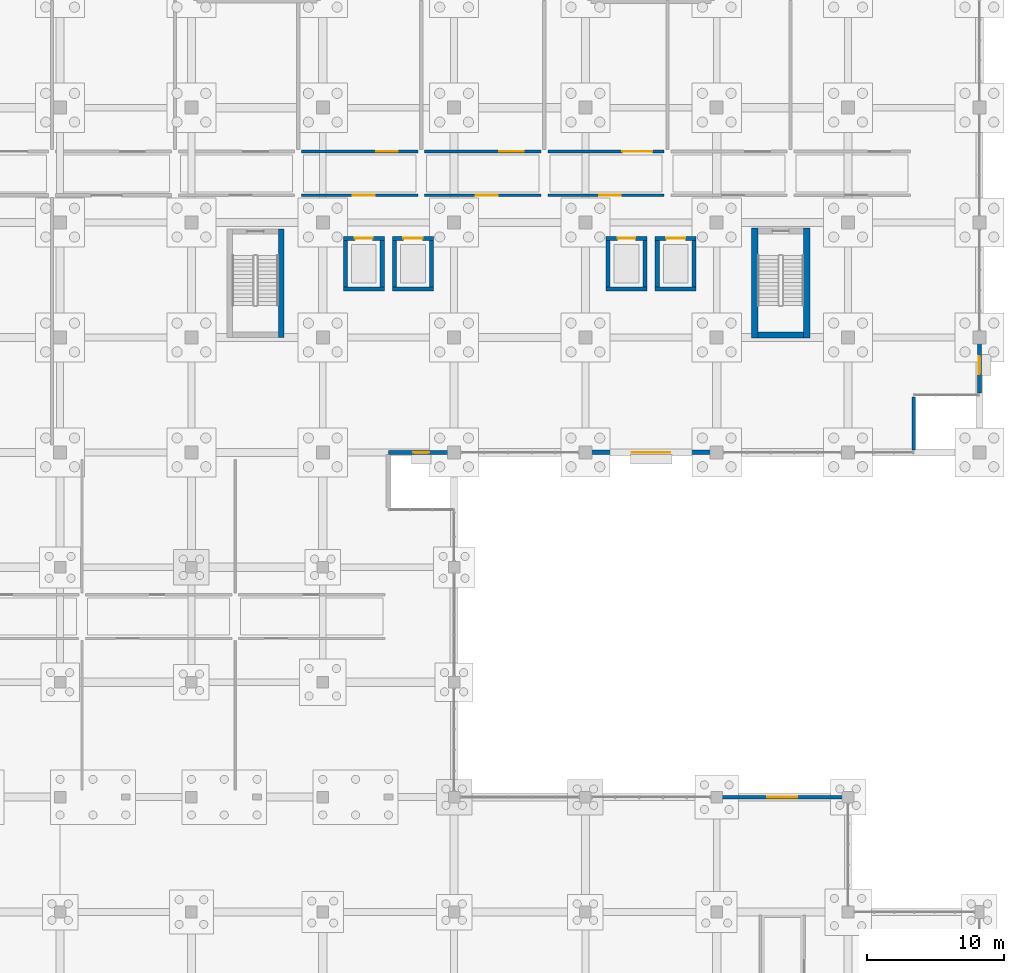
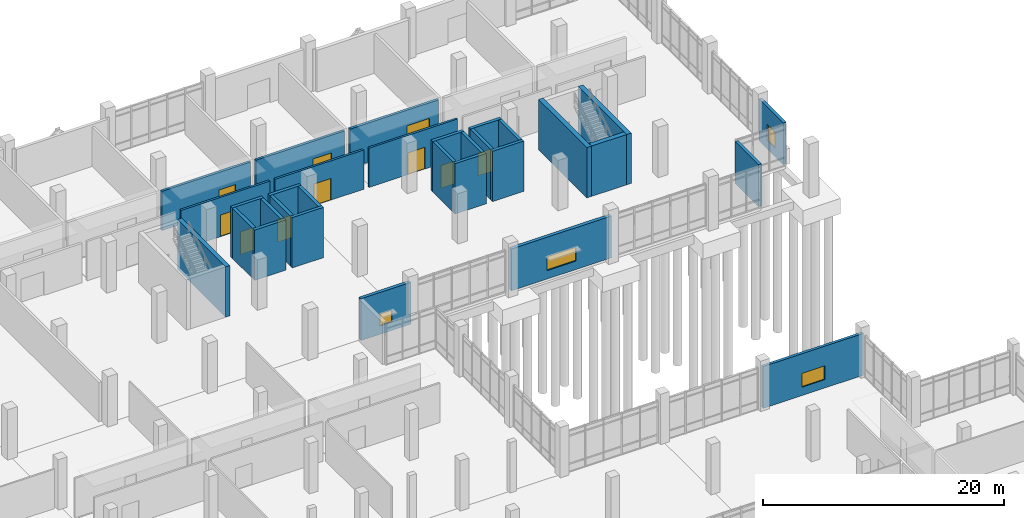
# One storey, part 116 of 136: 31 walls, 10 doors, 4 windows, 14 openings.
"""IFC4 building model written with IfcOpenShell, lengths in metres."""

from ifc_helpers import new_model, si_unit, direction, frame, frame_2d, origin, place, context, subcontext, project, spatial, rectangle, extrude, material, layer, layer_set, type_object, element, fill, save


model = new_model("IFC4")

# Units and contexts
model_context = context("Model", 3, precision=1e-05, world=origin(), true_north=direction((0.0, 1.0)))
body_context = subcontext(model_context, "Body", "Model", "MODEL_VIEW")
ifc_project = project(units=[si_unit("LENGTHUNIT", "METRE"), si_unit("AREAUNIT", "SQUARE_METRE"), si_unit("VOLUMEUNIT", "CUBIC_METRE"), si_unit("PLANEANGLEUNIT", "RADIAN"), si_unit("MASSUNIT", "GRAM", prefix="KILO")], contexts=[model_context])

# Site, building, storey
site_placement = place(None, origin())
site = spatial("IfcSite", under=ifc_project, at=site_placement, CompositionType="ELEMENT")
building_placement = place(site_placement, origin())
building = spatial("IfcBuilding", under=site, at=building_placement, Name="Oolite Switchyard Hospital", CompositionType="ELEMENT")
storey_placement = place(building_placement, origin())
storey = spatial("IfcBuildingStorey", under=building, at=storey_placement, Name="L00", CompositionType="ELEMENT", Elevation=0.0)

# Wall, opening, window
ifc_material_1 = material(Name="Precast oolitic limestone architectural concrete C40/50", Category="masonry")
ifc_layer_1 = layer(ifc_material_1, 0.260009765625)
ifc_layer_set_1 = layer_set([ifc_layer_1], Name="WAL-EXT-260")
wall_type_1 = type_object("IfcWallType", Name="WAL-EXT-260", PredefinedType="SOLIDWALL", material=ifc_layer_set_1)
wall_1_placement = place(storey_placement, frame((192.0, 75.60009765625, 0.0), z_axis=(0.0, 0.0, 1.0), x_axis=(1.0, 0.0, 0.0)))
wall_1 = element("IfcWall", 1, at=wall_1_placement, inside=storey, type_object=wall_type_1, Name="L00 Exterior Spandrel Wall 21", PredefinedType="SOLIDWALL", context=body_context, shape_type="SweptSolid", body=[
    extrude(rectangle(XDim=9.60009765625, YDim=0.260009765625, at=frame_2d((4.800048828125, 0.0))), origin(), (0.0, 0.0, 1.0), 4.239990234375),
])
opening_1_placement = place(wall_1_placement, frame((3.699951171875, 0.0, 0.85009765625)))
opening_1 = element("IfcOpeningElement", 2, at=opening_1_placement, cuts=wall_1, Name="Opening WN-0006", PredefinedType="OPENING", context=body_context, shape_type="SweptSolid", body=[
    extrude(rectangle(XDim=2.199951171875, YDim=1.39990234375, at=frame_2d((1.10009765625, 0.699951171875))), frame((0.0, 0.14013671875, 0.0), z_axis=(0.0, -1.0, 0.0), x_axis=(1.0, 0.0, 0.0)), (0.0, 0.0, 1.0), 0.280029296875),
])
ifc_material_2 = material(Name="Thermally broken aluminum frame with laminated impact glazing", Category="aluminium")
window_type_1 = type_object("IfcWindowType", Name="WIN-IMP-220X140", PartitioningType="SINGLE_PANEL", PredefinedType="WINDOW", material=ifc_material_2)
window_1_placement = place(opening_1_placement, origin())
window_1 = element("IfcWindow", 3, at=window_1_placement, inside=storey, type_object=window_type_1, Name="L00 Hurricane Impact Window WN-0006", OverallHeight=1.39990234375, OverallWidth=2.199951171875, PartitioningType="SINGLE_PANEL", PredefinedType="WINDOW", context=body_context, shape_type="SweptSolid", body=[
    extrude(rectangle(XDim=2.199951171875, YDim=1.39990234375, at=frame_2d((1.10009765625, 0.699951171875))), frame((0.0, 0.030029296875, 0.0), z_axis=(0.0, -1.0, 0.0), x_axis=(1.0, 0.0, 0.0)), (0.0, 0.0, 1.0), 0.06005859375),
])
fill(opening_1, window_1)

# Wall
ifc_layer_2 = layer(ifc_material_1, 0.280029296875)
ifc_layer_set_2 = layer_set([ifc_layer_2], Name="WAL-EXT-280")
wall_type_2 = type_object("IfcWallType", Name="WAL-EXT-280", PredefinedType="SOLIDWALL", material=ifc_layer_set_2)
wall_2_placement = place(storey_placement, frame((206.39990234375, 104.840087890625, 0.0), z_axis=(0.0, 0.0, 1.0), x_axis=(0.0, -1.0, 0.0)))
element("IfcWall", 4, at=wall_2_placement, inside=storey, type_object=wall_type_2, Name="L00 Exterior Spandrel Wall 64", PredefinedType="SOLIDWALL", context=body_context, shape_type="SweptSolid", body=[
    extrude(rectangle(XDim=3.880126953125, YDim=0.280029296875, at=frame_2d((1.93994140625, 0.0))), origin(), (0.0, 0.0, 1.0), 4.239990234375),
])

# Wall, opening, window
wall_3_placement = place(storey_placement, frame((211.199951171875, 109.199951171875, 0.0), z_axis=(0.0, 0.0, 1.0), x_axis=(0.0, -1.0, 0.0)))
wall_3 = element("IfcWall", 5, at=wall_3_placement, inside=storey, type_object=wall_type_2, Name="L00 Exterior Spandrel Wall 71", PredefinedType="SOLIDWALL", context=body_context, shape_type="SweptSolid", body=[
    extrude(rectangle(XDim=4.0400390625, YDim=0.280029296875, at=frame_2d((2.02001953125, 0.0))), origin(), (0.0, 0.0, 1.0), 4.239990234375),
])
opening_2_placement = place(wall_3_placement, frame((1.3701171875, 0.0, 0.85009765625)))
opening_2 = element("IfcOpeningElement", 6, at=opening_2_placement, cuts=wall_3, Name="Opening WN-0021", PredefinedType="OPENING", context=body_context, shape_type="SweptSolid", body=[
    extrude(rectangle(XDim=1.300048828125, YDim=1.60009765625, at=frame_2d((0.64990234375, 0.800048828125))), frame((0.0, 0.14990234375, 0.0), z_axis=(0.0, -1.0, 0.0), x_axis=(1.0, 0.0, 0.0)), (0.0, 0.0, 1.0), 0.300048828125),
])
window_type_2 = type_object("IfcWindowType", Name="WIN-IMP-130X160", PartitioningType="SINGLE_PANEL", PredefinedType="WINDOW", material=ifc_material_2)
window_2_placement = place(opening_2_placement, origin())
window_2 = element("IfcWindow", 7, at=window_2_placement, inside=storey, type_object=window_type_2, Name="L00 Hurricane Impact Window WN-0021", OverallHeight=1.60009765625, OverallWidth=1.300048828125, PartitioningType="SINGLE_PANEL", PredefinedType="WINDOW", context=body_context, shape_type="SweptSolid", body=[
    extrude(rectangle(XDim=1.300048828125, YDim=1.60009765625, at=frame_2d((0.64990234375, 0.800048828125))), frame((0.0, 0.030029296875, 0.0), z_axis=(0.0, -1.0, 0.0), x_axis=(1.0, 0.0, 0.0)), (0.0, 0.0, 1.0), 0.06005859375),
])
fill(opening_2, window_2)

ifc_layer_3 = layer(ifc_material_1, 0.300048828125)
ifc_layer_set_3 = layer_set([ifc_layer_3], Name="WAL-EXT-300")
wall_type_3 = type_object("IfcWallType", Name="WAL-EXT-300", PredefinedType="SOLIDWALL", material=ifc_layer_set_3)
wall_4_placement = place(storey_placement, frame((172.800048828125, 100.800048828125, 0.0), z_axis=(0.0, 0.0, 1.0), x_axis=(-1.0, 0.0, 0.0)))
wall_4 = element("IfcWall", 8, at=wall_4_placement, inside=storey, type_object=wall_type_3, Name="L00 Exterior Spandrel Wall 23", PredefinedType="SOLIDWALL", context=body_context, shape_type="SweptSolid", body=[
    extrude(rectangle(XDim=4.800048828125, YDim=0.300048828125, at=frame_2d((2.39990234375, 0.0))), origin(), (0.0, 0.0, 1.0), 4.239990234375),
])
opening_3_placement = place(wall_4_placement, frame((1.824951171875, 0.0, 0.85009765625)))
opening_3 = element("IfcOpeningElement", 9, at=opening_3_placement, cuts=wall_4, Name="Opening WN-0008", PredefinedType="OPENING", context=body_context, shape_type="SweptSolid", body=[
    extrude(rectangle(XDim=1.14990234375, YDim=1.199951171875, at=frame_2d((0.574951171875, 0.60009765625))), frame((0.0, 0.16015625, 0.0), z_axis=(0.0, -1.0, 0.0), x_axis=(1.0, 0.0, 0.0)), (0.0, 0.0, 1.0), 0.320068359375),
])
window_type_3 = type_object("IfcWindowType", Name="WIN-IMP-115X120", PartitioningType="SINGLE_PANEL", PredefinedType="WINDOW", material=ifc_material_2)
window_3_placement = place(opening_3_placement, origin())
window_3 = element("IfcWindow", 10, at=window_3_placement, inside=storey, type_object=window_type_3, Name="L00 Hurricane Impact Window WN-0008", OverallHeight=1.199951171875, OverallWidth=1.14990234375, PartitioningType="SINGLE_PANEL", PredefinedType="WINDOW", context=body_context, shape_type="SweptSolid", body=[
    extrude(rectangle(XDim=1.14990234375, YDim=1.199951171875, at=frame_2d((0.574951171875, 0.60009765625))), frame((0.0, 0.030029296875, 0.0), z_axis=(0.0, -1.0, 0.0), x_axis=(1.0, 0.0, 0.0)), (0.0, 0.0, 1.0), 0.06005859375),
])
fill(opening_3, window_3)

ifc_layer_4 = layer(ifc_material_1, 0.320068359375)
ifc_layer_set_4 = layer_set([ifc_layer_4], Name="WAL-EXT-320")
wall_type_4 = type_object("IfcWallType", Name="WAL-EXT-320", PredefinedType="SOLIDWALL", material=ifc_layer_set_4)
wall_5_placement = place(storey_placement, frame((192.0, 100.800048828125, 0.0), z_axis=(0.0, 0.0, 1.0), x_axis=(-1.0, 0.0, 0.0)))
wall_5 = element("IfcWall", 11, at=wall_5_placement, inside=storey, type_object=wall_type_4, Name="L00 Exterior Spandrel Wall 24", PredefinedType="SOLIDWALL", context=body_context, shape_type="SweptSolid", body=[
    extrude(rectangle(XDim=9.60009765625, YDim=0.320068359375, at=frame_2d((4.800048828125, 0.0))), origin(), (0.0, 0.0, 1.0), 4.239990234375),
])
opening_4_placement = place(wall_5_placement, frame((3.39990234375, 0.0, 0.85009765625)))
opening_4 = element("IfcOpeningElement", 12, at=opening_4_placement, cuts=wall_5, Name="Opening WN-0009", PredefinedType="OPENING", context=body_context, shape_type="SweptSolid", body=[
    extrude(rectangle(XDim=2.800048828125, YDim=1.39990234375, at=frame_2d((1.39990234375, 0.699951171875))), frame((0.0, 0.169921875, 0.0), z_axis=(0.0, -1.0, 0.0), x_axis=(1.0, 0.0, 0.0)), (0.0, 0.0, 1.0), 0.340087890625),
])
window_type_4 = type_object("IfcWindowType", Name="WIN-IMP-280X140", PartitioningType="SINGLE_PANEL", PredefinedType="WINDOW", material=ifc_material_2)
window_4_placement = place(opening_4_placement, origin())
window_4 = element("IfcWindow", 13, at=window_4_placement, inside=storey, type_object=window_type_4, Name="L00 Hurricane Impact Window WN-0009", OverallHeight=1.39990234375, OverallWidth=2.800048828125, PartitioningType="SINGLE_PANEL", PredefinedType="WINDOW", context=body_context, shape_type="SweptSolid", body=[
    extrude(rectangle(XDim=2.800048828125, YDim=1.39990234375, at=frame_2d((1.39990234375, 0.699951171875))), frame((0.0, 0.030029296875, 0.0), z_axis=(0.0, -1.0, 0.0), x_axis=(1.0, 0.0, 0.0)), (0.0, 0.0, 1.0), 0.06005859375),
])
fill(opening_4, window_4)

# Wall, opening, door
ifc_material_3 = material(Name="Precast concrete C40/50", Category="concrete")
ifc_layer_5 = layer(ifc_material_3, 0.239990234375)
ifc_layer_set_5 = layer_set([ifc_layer_5], Name="WAL-PLANT-240")
wall_type_5 = type_object("IfcWallType", Name="WAL-PLANT-240", PredefinedType="PARTITIONING", material=ifc_layer_set_5)
wall_6_placement = place(storey_placement, frame((161.64990234375, 122.800048828125, 0.0), z_axis=(0.0, 0.0, 1.0), x_axis=(1.0, 0.0, 0.0)))
wall_6 = element("IfcWall", 14, at=wall_6_placement, inside=storey, type_object=wall_type_5, Name="L00 Interior Partition 148", PredefinedType="PARTITIONING", context=body_context, shape_type="SweptSolid", body=[
    extrude(rectangle(XDim=8.5, YDim=0.239990234375, at=frame_2d((4.25, 0.0))), origin(), (0.0, 0.0, 1.0), 3.97998046875),
])
opening_5_placement = place(wall_6_placement, frame((5.449951171875, 0.0, 0.0)))
opening_5 = element("IfcOpeningElement", 15, at=opening_5_placement, cuts=wall_6, Name="Opening D-0091", PredefinedType="OPENING", context=body_context, shape_type="SweptSolid", body=[
    extrude(rectangle(XDim=1.60009765625, YDim=2.199951171875, at=frame_2d((0.800048828125, 1.10009765625))), frame((0.0, 0.1298828125, 0.0), z_axis=(0.0, -1.0, 0.0), x_axis=(1.0, 0.0, 0.0)), (0.0, 0.0, 1.0), 0.260009765625),
])
ifc_material_4 = material(Name="Hollow metal fire-rated steel door assembly", Category="steel")
door_type_1 = type_object("IfcDoorType", Name="DR-DBL-160X220", OperationType="NOTDEFINED", PredefinedType="DOOR", material=ifc_material_4)
door_1_placement = place(opening_5_placement, origin())
door_1 = element("IfcDoor", 16, at=door_1_placement, inside=storey, type_object=door_type_1, Name="L00 Interior Door D-0091", OperationType="DOUBLE_DOOR_SINGLE_SWING", OverallHeight=2.199951171875, OverallWidth=1.60009765625, PredefinedType="DOOR", context=body_context, shape_type="SweptSolid", body=[
    extrude(rectangle(XDim=1.60009765625, YDim=2.199951171875, at=frame_2d((0.800048828125, 1.10009765625))), frame((0.0, 0.02490234375, 0.0), z_axis=(0.0, -1.0, 0.0), x_axis=(1.0, 0.0, 0.0)), (0.0, 0.0, 1.0), 0.050048828125),
])
fill(opening_5, door_1)

wall_7_placement = place(storey_placement, frame((170.64990234375, 122.800048828125, 0.0), z_axis=(0.0, 0.0, 1.0), x_axis=(1.0, 0.0, 0.0)))
wall_7 = element("IfcWall", 17, at=wall_7_placement, inside=storey, type_object=wall_type_5, Name="L00 Interior Partition 151", PredefinedType="PARTITIONING", context=body_context, shape_type="SweptSolid", body=[
    extrude(rectangle(XDim=8.5, YDim=0.239990234375, at=frame_2d((4.25, 0.0))), origin(), (0.0, 0.0, 1.0), 3.97998046875),
])
opening_6_placement = place(wall_7_placement, frame((5.449951171875, 0.0, 0.0)))
opening_6 = element("IfcOpeningElement", 18, at=opening_6_placement, cuts=wall_7, Name="Opening D-0093", PredefinedType="OPENING", context=body_context, shape_type="SweptSolid", body=[
    extrude(rectangle(XDim=1.800048828125, YDim=2.199951171875, at=frame_2d((0.89990234375, 1.10009765625))), frame((0.0, 0.1298828125, 0.0), z_axis=(0.0, -1.0, 0.0), x_axis=(1.0, 0.0, 0.0)), (0.0, 0.0, 1.0), 0.260009765625),
])
door_type_2 = type_object("IfcDoorType", Name="DR-DBL-180X220", OperationType="NOTDEFINED", PredefinedType="DOOR", material=ifc_material_4)
door_2_placement = place(opening_6_placement, origin())
door_2 = element("IfcDoor", 19, at=door_2_placement, inside=storey, type_object=door_type_2, Name="L00 Interior Door D-0093", OperationType="DOUBLE_DOOR_SINGLE_SWING", OverallHeight=2.199951171875, OverallWidth=1.800048828125, PredefinedType="DOOR", context=body_context, shape_type="SweptSolid", body=[
    extrude(rectangle(XDim=1.800048828125, YDim=2.199951171875, at=frame_2d((0.89990234375, 1.10009765625))), frame((0.0, 0.02490234375, 0.0), z_axis=(0.0, -1.0, 0.0), x_axis=(1.0, 0.0, 0.0)), (0.0, 0.0, 1.0), 0.050048828125),
])
fill(opening_6, door_2)

wall_8_placement = place(storey_placement, frame((179.64990234375, 122.800048828125, 0.0), z_axis=(0.0, 0.0, 1.0), x_axis=(1.0, 0.0, 0.0)))
wall_8 = element("IfcWall", 20, at=wall_8_placement, inside=storey, type_object=wall_type_5, Name="L00 Interior Partition 154", PredefinedType="PARTITIONING", context=body_context, shape_type="SweptSolid", body=[
    extrude(rectangle(XDim=8.5, YDim=0.239990234375, at=frame_2d((4.25, 0.0))), origin(), (0.0, 0.0, 1.0), 3.97998046875),
])
opening_7_placement = place(wall_8_placement, frame((5.449951171875, 0.0, 0.0)))
opening_7 = element("IfcOpeningElement", 21, at=opening_7_placement, cuts=wall_8, Name="Opening D-0095", PredefinedType="OPENING", context=body_context, shape_type="SweptSolid", body=[
    extrude(rectangle(XDim=2.199951171875, YDim=2.39990234375, at=frame_2d((1.10009765625, 1.199951171875))), frame((0.0, 0.1298828125, 0.0), z_axis=(0.0, -1.0, 0.0), x_axis=(1.0, 0.0, 0.0)), (0.0, 0.0, 1.0), 0.260009765625),
])
door_type_3 = type_object("IfcDoorType", Name="DR-PLNT-220X240", OperationType="NOTDEFINED", PredefinedType="DOOR", material=ifc_material_4)
door_3_placement = place(opening_7_placement, origin())
door_3 = element("IfcDoor", 22, at=door_3_placement, inside=storey, type_object=door_type_3, Name="L00 Interior Door D-0095", OperationType="DOUBLE_DOOR_SINGLE_SWING", OverallHeight=2.39990234375, OverallWidth=2.199951171875, PredefinedType="DOOR", context=body_context, shape_type="SweptSolid", body=[
    extrude(rectangle(XDim=2.199951171875, YDim=2.39990234375, at=frame_2d((1.10009765625, 1.199951171875))), frame((0.0, 0.02490234375, 0.0), z_axis=(0.0, -1.0, 0.0), x_axis=(1.0, 0.0, 0.0)), (0.0, 0.0, 1.0), 0.050048828125),
])
fill(opening_7, door_3)

# Walls
ifc_material_5 = material(Name="Concrete C50/60", Category="concrete")
ifc_layer_6 = layer(ifc_material_5, 0.300048828125)
ifc_layer_set_6 = layer_set([ifc_layer_6], Name="WAL-SHR-300")
wall_type_6 = type_object("IfcWallType", Name="WAL-SHR-300", PredefinedType="SHEAR", material=ifc_layer_set_6)
wall_9_placement = place(storey_placement, frame((164.699951171875, 112.75, 0.0), z_axis=(0.0, 0.0, 1.0), x_axis=(1.0, 0.0, 0.0)))
element("IfcWall", 23, at=wall_9_placement, inside=storey, type_object=wall_type_6, Name="L00 Lift Shaft Shear Wall EL-01", PredefinedType="SHEAR", context=body_context, shape_type="SweptSolid", body=[
    extrude(rectangle(XDim=3.0, YDim=0.300048828125, at=frame_2d((1.5, 0.0))), origin(), (0.0, 0.0, 1.0), 5.10009765625),
])
wall_10_placement = place(storey_placement, frame((167.550048828125, 112.89990234375, 0.0), z_axis=(0.0, 0.0, 1.0), x_axis=(0.0, 1.0, 0.0)))
element("IfcWall", 24, at=wall_10_placement, inside=storey, type_object=wall_type_6, Name="L00 Lift Shaft Shear Wall EL-01", PredefinedType="SHEAR", context=body_context, shape_type="SweptSolid", body=[
    extrude(rectangle(XDim=3.400146484375, YDim=0.300048828125, at=frame_2d((1.7001953125, 0.0))), origin(), (0.0, 0.0, 1.0), 5.10009765625),
])

# Wall, opening, door
wall_11_placement = place(storey_placement, frame((167.699951171875, 116.449951171875, 0.0), z_axis=(0.0, 0.0, 1.0), x_axis=(-1.0, 0.0, 0.0)))
wall_11 = element("IfcWall", 25, at=wall_11_placement, inside=storey, type_object=wall_type_6, Name="L00 Lift Shaft Shear Wall EL-01", PredefinedType="SHEAR", context=body_context, shape_type="SweptSolid", body=[
    extrude(rectangle(XDim=3.0, YDim=0.300048828125, at=frame_2d((1.5, 0.0))), origin(), (0.0, 0.0, 1.0), 5.10009765625),
])
opening_8_placement = place(wall_11_placement, frame((0.85009765625, 0.0, 0.0)))
opening_8 = element("IfcOpeningElement", 26, at=opening_8_placement, cuts=wall_11, Name="Opening LD-001", PredefinedType="OPENING", context=body_context, shape_type="SweptSolid", body=[
    extrude(rectangle(XDim=1.300048828125, YDim=2.300048828125, at=frame_2d((0.64990234375, 1.14990234375))), frame((0.0, 0.16015625, 0.0), z_axis=(0.0, -1.0, 0.0), x_axis=(1.0, 0.0, 0.0)), (0.0, 0.0, 1.0), 0.320068359375),
])
ifc_material_6 = material(Name="Brushed stainless steel fire-rated sliding landing door", Category="steel")
door_type_4 = type_object("IfcDoorType", Name="DR-LD-130X230", OperationType="NOTDEFINED", PredefinedType="DOOR", material=ifc_material_6)
door_4_placement = place(opening_8_placement, origin())
door_4 = element("IfcDoor", 27, at=door_4_placement, inside=storey, type_object=door_type_4, Name="L00 EL-01 Lift Landing Door LD-001", OperationType="SLIDING_TO_LEFT", OverallHeight=2.300048828125, OverallWidth=1.300048828125, PredefinedType="DOOR", context=body_context, shape_type="SweptSolid", body=[
    extrude(rectangle(XDim=1.300048828125, YDim=2.300048828125, at=frame_2d((0.64990234375, 1.14990234375))), frame((0.0, 0.02490234375, 0.0), z_axis=(0.0, -1.0, 0.0), x_axis=(1.0, 0.0, 0.0)), (0.0, 0.0, 1.0), 0.050048828125),
])
fill(opening_8, door_4)

# Walls
wall_12_placement = place(storey_placement, frame((164.85009765625, 116.300048828125, 0.0), z_axis=(0.0, 0.0, 1.0), x_axis=(0.0, -1.0, 0.0)))
element("IfcWall", 28, at=wall_12_placement, inside=storey, type_object=wall_type_6, Name="L00 Lift Shaft Shear Wall EL-01", PredefinedType="SHEAR", context=body_context, shape_type="SweptSolid", body=[
    extrude(rectangle(XDim=3.400146484375, YDim=0.300048828125, at=frame_2d((1.7001953125, 0.0))), origin(), (0.0, 0.0, 1.0), 5.10009765625),
])
wall_13_placement = place(storey_placement, frame((168.300048828125, 112.75, 0.0), z_axis=(0.0, 0.0, 1.0), x_axis=(1.0, 0.0, 0.0)))
element("IfcWall", 29, at=wall_13_placement, inside=storey, type_object=wall_type_6, Name="L00 Lift Shaft Shear Wall EL-02", PredefinedType="SHEAR", context=body_context, shape_type="SweptSolid", body=[
    extrude(rectangle(XDim=3.0, YDim=0.300048828125, at=frame_2d((1.5, 0.0))), origin(), (0.0, 0.0, 1.0), 5.10009765625),
])
wall_14_placement = place(storey_placement, frame((171.14990234375, 112.89990234375, 0.0), z_axis=(0.0, 0.0, 1.0), x_axis=(0.0, 1.0, 0.0)))
element("IfcWall", 30, at=wall_14_placement, inside=storey, type_object=wall_type_6, Name="L00 Lift Shaft Shear Wall EL-02", PredefinedType="SHEAR", context=body_context, shape_type="SweptSolid", body=[
    extrude(rectangle(XDim=3.400146484375, YDim=0.300048828125, at=frame_2d((1.7001953125, 0.0))), origin(), (0.0, 0.0, 1.0), 5.10009765625),
])

# Wall, opening, door
wall_15_placement = place(storey_placement, frame((171.300048828125, 116.449951171875, 0.0), z_axis=(0.0, 0.0, 1.0), x_axis=(-1.0, 0.0, 0.0)))
wall_15 = element("IfcWall", 31, at=wall_15_placement, inside=storey, type_object=wall_type_6, Name="L00 Lift Shaft Shear Wall EL-02", PredefinedType="SHEAR", context=body_context, shape_type="SweptSolid", body=[
    extrude(rectangle(XDim=3.0, YDim=0.300048828125, at=frame_2d((1.5, 0.0))), origin(), (0.0, 0.0, 1.0), 5.10009765625),
])
opening_9_placement = place(wall_15_placement, frame((0.800048828125, 0.0, 0.0)))
opening_9 = element("IfcOpeningElement", 32, at=opening_9_placement, cuts=wall_15, Name="Opening LD-010", PredefinedType="OPENING", context=body_context, shape_type="SweptSolid", body=[
    extrude(rectangle(XDim=1.39990234375, YDim=2.300048828125, at=frame_2d((0.699951171875, 1.14990234375))), frame((0.0, 0.16015625, 0.0), z_axis=(0.0, -1.0, 0.0), x_axis=(1.0, 0.0, 0.0)), (0.0, 0.0, 1.0), 0.320068359375),
])
door_type_5 = type_object("IfcDoorType", Name="DR-LD-140X230", OperationType="NOTDEFINED", PredefinedType="DOOR", material=ifc_material_6)
door_5_placement = place(opening_9_placement, origin())
door_5 = element("IfcDoor", 33, at=door_5_placement, inside=storey, type_object=door_type_5, Name="L00 EL-02 Lift Landing Door LD-010", OperationType="SLIDING_TO_RIGHT", OverallHeight=2.300048828125, OverallWidth=1.39990234375, PredefinedType="DOOR", context=body_context, shape_type="SweptSolid", body=[
    extrude(rectangle(XDim=1.39990234375, YDim=2.300048828125, at=frame_2d((0.699951171875, 1.14990234375))), frame((0.0, 0.02490234375, 0.0), z_axis=(0.0, -1.0, 0.0), x_axis=(1.0, 0.0, 0.0)), (0.0, 0.0, 1.0), 0.050048828125),
])
fill(opening_9, door_5)

# Walls
wall_16_placement = place(storey_placement, frame((168.449951171875, 116.300048828125, 0.0), z_axis=(0.0, 0.0, 1.0), x_axis=(0.0, -1.0, 0.0)))
element("IfcWall", 34, at=wall_16_placement, inside=storey, type_object=wall_type_6, Name="L00 Lift Shaft Shear Wall EL-02", PredefinedType="SHEAR", context=body_context, shape_type="SweptSolid", body=[
    extrude(rectangle(XDim=3.400146484375, YDim=0.300048828125, at=frame_2d((1.7001953125, 0.0))), origin(), (0.0, 0.0, 1.0), 5.10009765625),
])
wall_17_placement = place(storey_placement, frame((183.89990234375, 112.75, 0.0), z_axis=(0.0, 0.0, 1.0), x_axis=(1.0, 0.0, 0.0)))
element("IfcWall", 35, at=wall_17_placement, inside=storey, type_object=wall_type_6, Name="L00 Lift Shaft Shear Wall EL-03", PredefinedType="SHEAR", context=body_context, shape_type="SweptSolid", body=[
    extrude(rectangle(XDim=3.0, YDim=0.300048828125, at=frame_2d((1.5, 0.0))), origin(), (0.0, 0.0, 1.0), 5.10009765625),
])
wall_18_placement = place(storey_placement, frame((186.75, 112.89990234375, 0.0), z_axis=(0.0, 0.0, 1.0), x_axis=(0.0, 1.0, 0.0)))
element("IfcWall", 36, at=wall_18_placement, inside=storey, type_object=wall_type_6, Name="L00 Lift Shaft Shear Wall EL-03", PredefinedType="SHEAR", context=body_context, shape_type="SweptSolid", body=[
    extrude(rectangle(XDim=3.400146484375, YDim=0.300048828125, at=frame_2d((1.7001953125, 0.0))), origin(), (0.0, 0.0, 1.0), 5.10009765625),
])

# Wall, opening, door
wall_19_placement = place(storey_placement, frame((186.89990234375, 116.449951171875, 0.0), z_axis=(0.0, 0.0, 1.0), x_axis=(-1.0, 0.0, 0.0)))
wall_19 = element("IfcWall", 37, at=wall_19_placement, inside=storey, type_object=wall_type_6, Name="L00 Lift Shaft Shear Wall EL-03", PredefinedType="SHEAR", context=body_context, shape_type="SweptSolid", body=[
    extrude(rectangle(XDim=3.0, YDim=0.300048828125, at=frame_2d((1.5, 0.0))), origin(), (0.0, 0.0, 1.0), 5.10009765625),
])
opening_10_placement = place(wall_19_placement, frame((0.85009765625, 0.0, 0.0)))
opening_10 = element("IfcOpeningElement", 38, at=opening_10_placement, cuts=wall_19, Name="Opening LD-019", PredefinedType="OPENING", context=body_context, shape_type="SweptSolid", body=[
    extrude(rectangle(XDim=1.300048828125, YDim=2.300048828125, at=frame_2d((0.64990234375, 1.14990234375))), frame((0.0, 0.16015625, 0.0), z_axis=(0.0, -1.0, 0.0), x_axis=(1.0, 0.0, 0.0)), (0.0, 0.0, 1.0), 0.320068359375),
])
door_6_placement = place(opening_10_placement, origin())
door_6 = element("IfcDoor", 39, at=door_6_placement, inside=storey, type_object=door_type_4, Name="L00 EL-03 Lift Landing Door LD-019", OperationType="SLIDING_TO_LEFT", OverallHeight=2.300048828125, OverallWidth=1.300048828125, PredefinedType="DOOR", context=body_context, shape_type="SweptSolid", body=[
    extrude(rectangle(XDim=1.300048828125, YDim=2.300048828125, at=frame_2d((0.64990234375, 1.14990234375))), frame((0.0, 0.02490234375, 0.0), z_axis=(0.0, -1.0, 0.0), x_axis=(1.0, 0.0, 0.0)), (0.0, 0.0, 1.0), 0.050048828125),
])
fill(opening_10, door_6)

# Walls
wall_20_placement = place(storey_placement, frame((184.050048828125, 116.300048828125, 0.0), z_axis=(0.0, 0.0, 1.0), x_axis=(0.0, -1.0, 0.0)))
element("IfcWall", 40, at=wall_20_placement, inside=storey, type_object=wall_type_6, Name="L00 Lift Shaft Shear Wall EL-03", PredefinedType="SHEAR", context=body_context, shape_type="SweptSolid", body=[
    extrude(rectangle(XDim=3.400146484375, YDim=0.300048828125, at=frame_2d((1.7001953125, 0.0))), origin(), (0.0, 0.0, 1.0), 5.10009765625),
])
wall_21_placement = place(storey_placement, frame((187.5, 112.75, 0.0), z_axis=(0.0, 0.0, 1.0), x_axis=(1.0, 0.0, 0.0)))
element("IfcWall", 41, at=wall_21_placement, inside=storey, type_object=wall_type_6, Name="L00 Lift Shaft Shear Wall EL-04", PredefinedType="SHEAR", context=body_context, shape_type="SweptSolid", body=[
    extrude(rectangle(XDim=3.0, YDim=0.300048828125, at=frame_2d((1.5, 0.0))), origin(), (0.0, 0.0, 1.0), 5.10009765625),
])
wall_22_placement = place(storey_placement, frame((190.35009765625, 112.89990234375, 0.0), z_axis=(0.0, 0.0, 1.0), x_axis=(0.0, 1.0, 0.0)))
element("IfcWall", 42, at=wall_22_placement, inside=storey, type_object=wall_type_6, Name="L00 Lift Shaft Shear Wall EL-04", PredefinedType="SHEAR", context=body_context, shape_type="SweptSolid", body=[
    extrude(rectangle(XDim=3.400146484375, YDim=0.300048828125, at=frame_2d((1.7001953125, 0.0))), origin(), (0.0, 0.0, 1.0), 5.10009765625),
])

# Wall, opening, door
wall_23_placement = place(storey_placement, frame((190.5, 116.449951171875, 0.0), z_axis=(0.0, 0.0, 1.0), x_axis=(-1.0, 0.0, 0.0)))
wall_23 = element("IfcWall", 43, at=wall_23_placement, inside=storey, type_object=wall_type_6, Name="L00 Lift Shaft Shear Wall EL-04", PredefinedType="SHEAR", context=body_context, shape_type="SweptSolid", body=[
    extrude(rectangle(XDim=3.0, YDim=0.300048828125, at=frame_2d((1.5, 0.0))), origin(), (0.0, 0.0, 1.0), 5.10009765625),
])
opening_11_placement = place(wall_23_placement, frame((0.800048828125, 0.0, 0.0)))
opening_11 = element("IfcOpeningElement", 44, at=opening_11_placement, cuts=wall_23, Name="Opening LD-027", PredefinedType="OPENING", context=body_context, shape_type="SweptSolid", body=[
    extrude(rectangle(XDim=1.39990234375, YDim=2.300048828125, at=frame_2d((0.699951171875, 1.14990234375))), frame((0.0, 0.16015625, 0.0), z_axis=(0.0, -1.0, 0.0), x_axis=(1.0, 0.0, 0.0)), (0.0, 0.0, 1.0), 0.320068359375),
])
door_7_placement = place(opening_11_placement, origin())
door_7 = element("IfcDoor", 45, at=door_7_placement, inside=storey, type_object=door_type_5, Name="L00 EL-04 Lift Landing Door LD-027", OperationType="SLIDING_TO_LEFT", OverallHeight=2.300048828125, OverallWidth=1.39990234375, PredefinedType="DOOR", context=body_context, shape_type="SweptSolid", body=[
    extrude(rectangle(XDim=1.39990234375, YDim=2.300048828125, at=frame_2d((0.699951171875, 1.14990234375))), frame((0.0, 0.02490234375, 0.0), z_axis=(0.0, -1.0, 0.0), x_axis=(1.0, 0.0, 0.0)), (0.0, 0.0, 1.0), 0.050048828125),
])
fill(opening_11, door_7)

# Walls
wall_24_placement = place(storey_placement, frame((187.64990234375, 116.300048828125, 0.0), z_axis=(0.0, 0.0, 1.0), x_axis=(0.0, -1.0, 0.0)))
element("IfcWall", 46, at=wall_24_placement, inside=storey, type_object=wall_type_6, Name="L00 Lift Shaft Shear Wall EL-04", PredefinedType="SHEAR", context=body_context, shape_type="SweptSolid", body=[
    extrude(rectangle(XDim=3.400146484375, YDim=0.300048828125, at=frame_2d((1.7001953125, 0.0))), origin(), (0.0, 0.0, 1.0), 5.10009765625),
])
ifc_layer_7 = layer(ifc_material_5, 0.39990234375)
ifc_layer_set_7 = layer_set([ifc_layer_7], Name="WAL-SHR-400")
wall_type_7 = type_object("IfcWallType", Name="WAL-SHR-400", PredefinedType="SHEAR", material=ifc_layer_set_7)
wall_25_placement = place(storey_placement, frame((160.159912109375, 109.199951171875, 0.0), z_axis=(0.0, 0.0, 1.0), x_axis=(0.0, 1.0, 0.0)))
element("IfcWall", 47, at=wall_25_placement, inside=storey, type_object=wall_type_7, Name="L00 Core Shear Wall ST-03", PredefinedType="SHEAR", context=body_context, shape_type="SweptSolid", body=[
    extrude(rectangle(XDim=7.949951171875, YDim=0.39990234375, at=frame_2d((3.97509765625, 0.0))), origin(), (0.0, 0.0, 1.0), 5.10009765625),
])
ifc_layer_8 = layer(ifc_material_5, 0.449951171875)
ifc_layer_set_8 = layer_set([ifc_layer_8], Name="WAL-SHR-450")
wall_type_8 = type_object("IfcWallType", Name="WAL-SHR-450", PredefinedType="SHEAR", material=ifc_layer_set_8)
wall_26_placement = place(storey_placement, frame((194.77490234375, 117.199951171875, 0.0), z_axis=(0.0, 0.0, 1.0), x_axis=(0.0, -1.0, 0.0)))
element("IfcWall", 48, at=wall_26_placement, inside=storey, type_object=wall_type_8, Name="L00 Core Shear Wall ST-04", PredefinedType="SHEAR", context=body_context, shape_type="SweptSolid", body=[
    extrude(rectangle(XDim=8.050048828125, YDim=0.449951171875, at=frame_2d((4.02490234375, 0.0))), origin(), (0.0, 0.0, 1.0), 5.10009765625),
])
wall_27_placement = place(storey_placement, frame((195.0, 109.375, 0.0), z_axis=(0.0, 0.0, 1.0), x_axis=(1.0, 0.0, 0.0)))
element("IfcWall", 49, at=wall_27_placement, inside=storey, type_object=wall_type_8, Name="L00 Core Shear Wall ST-04", PredefinedType="SHEAR", context=body_context, shape_type="SweptSolid", body=[
    extrude(rectangle(XDim=3.360107421875, YDim=0.449951171875, at=frame_2d((1.68017578125, 0.0))), origin(), (0.0, 0.0, 1.0), 5.10009765625),
])
wall_28_placement = place(storey_placement, frame((198.5849609375, 109.14990234375, 0.0), z_axis=(0.0, 0.0, 1.0), x_axis=(0.0, 1.0, 0.0)))
element("IfcWall", 50, at=wall_28_placement, inside=storey, type_object=wall_type_8, Name="L00 Core Shear Wall ST-04", PredefinedType="SHEAR", context=body_context, shape_type="SweptSolid", body=[
    extrude(rectangle(XDim=8.050048828125, YDim=0.449951171875, at=frame_2d((4.02490234375, 0.0))), origin(), (0.0, 0.0, 1.0), 5.10009765625),
])

# Wall, opening, door
ifc_material_7 = material(Name="Moisture-resistant gypsum board on steel studs", Category="steel")
ifc_layer_9 = layer(ifc_material_7, 0.199951171875)
ifc_layer_set_9 = layer_set([ifc_layer_9], Name="WAL-SMK-200")
wall_type_9 = type_object("IfcWallType", Name="WAL-SMK-200", PredefinedType="PARTITIONING", material=ifc_layer_set_9)
wall_29_placement = place(storey_placement, frame((161.64990234375, 119.60009765625, 0.0), z_axis=(0.0, 0.0, 1.0), x_axis=(1.0, 0.0, 0.0)))
wall_29 = element("IfcWall", 51, at=wall_29_placement, inside=storey, type_object=wall_type_9, Name="L00 Interior Partition 147", PredefinedType="PARTITIONING", context=body_context, shape_type="SweptSolid", body=[
    extrude(rectangle(XDim=8.5, YDim=0.199951171875, at=frame_2d((4.25, 0.0))), origin(), (0.0, 0.0, 1.0), 3.97998046875),
])
opening_12_placement = place(wall_29_placement, frame((3.75, 0.0, 0.0)))
opening_12 = element("IfcOpeningElement", 52, at=opening_12_placement, cuts=wall_29, Name="Opening D-0090", PredefinedType="OPENING", context=body_context, shape_type="SweptSolid", body=[
    extrude(rectangle(XDim=1.60009765625, YDim=2.199951171875, at=frame_2d((0.800048828125, 1.10009765625))), frame((0.0, 0.10986328125, 0.0), z_axis=(0.0, -1.0, 0.0), x_axis=(1.0, 0.0, 0.0)), (0.0, 0.0, 1.0), 0.219970703125),
])
door_8_placement = place(opening_12_placement, origin())
door_8 = element("IfcDoor", 53, at=door_8_placement, inside=storey, type_object=door_type_1, Name="L00 Interior Door D-0090", OperationType="DOUBLE_DOOR_SINGLE_SWING", OverallHeight=2.199951171875, OverallWidth=1.60009765625, PredefinedType="DOOR", context=body_context, shape_type="SweptSolid", body=[
    extrude(rectangle(XDim=1.60009765625, YDim=2.199951171875, at=frame_2d((0.800048828125, 1.10009765625))), frame((0.0, 0.02490234375, 0.0), z_axis=(0.0, -1.0, 0.0), x_axis=(1.0, 0.0, 0.0)), (0.0, 0.0, 1.0), 0.050048828125),
])
fill(opening_12, door_8)

wall_30_placement = place(storey_placement, frame((170.64990234375, 119.60009765625, 0.0), z_axis=(0.0, 0.0, 1.0), x_axis=(1.0, 0.0, 0.0)))
wall_30 = element("IfcWall", 54, at=wall_30_placement, inside=storey, type_object=wall_type_9, Name="L00 Interior Partition 150", PredefinedType="PARTITIONING", context=body_context, shape_type="SweptSolid", body=[
    extrude(rectangle(XDim=8.5, YDim=0.199951171875, at=frame_2d((4.25, 0.0))), origin(), (0.0, 0.0, 1.0), 3.97998046875),
])
opening_13_placement = place(wall_30_placement, frame((3.75, 0.0, 0.0)))
opening_13 = element("IfcOpeningElement", 55, at=opening_13_placement, cuts=wall_30, Name="Opening D-0092", PredefinedType="OPENING", context=body_context, shape_type="SweptSolid", body=[
    extrude(rectangle(XDim=1.60009765625, YDim=2.199951171875, at=frame_2d((0.800048828125, 1.10009765625))), frame((0.0, 0.10986328125, 0.0), z_axis=(0.0, -1.0, 0.0), x_axis=(1.0, 0.0, 0.0)), (0.0, 0.0, 1.0), 0.219970703125),
])
door_9_placement = place(opening_13_placement, origin())
door_9 = element("IfcDoor", 56, at=door_9_placement, inside=storey, type_object=door_type_1, Name="L00 Interior Door D-0092", OperationType="DOUBLE_DOOR_SINGLE_SWING", OverallHeight=2.199951171875, OverallWidth=1.60009765625, PredefinedType="DOOR", context=body_context, shape_type="SweptSolid", body=[
    extrude(rectangle(XDim=1.60009765625, YDim=2.199951171875, at=frame_2d((0.800048828125, 1.10009765625))), frame((0.0, 0.02490234375, 0.0), z_axis=(0.0, -1.0, 0.0), x_axis=(1.0, 0.0, 0.0)), (0.0, 0.0, 1.0), 0.050048828125),
])
fill(opening_13, door_9)

wall_31_placement = place(storey_placement, frame((179.64990234375, 119.60009765625, 0.0), z_axis=(0.0, 0.0, 1.0), x_axis=(1.0, 0.0, 0.0)))
wall_31 = element("IfcWall", 57, at=wall_31_placement, inside=storey, type_object=wall_type_9, Name="L00 Interior Partition 153", PredefinedType="PARTITIONING", context=body_context, shape_type="SweptSolid", body=[
    extrude(rectangle(XDim=8.5, YDim=0.199951171875, at=frame_2d((4.25, 0.0))), origin(), (0.0, 0.0, 1.0), 3.97998046875),
])
opening_14_placement = place(wall_31_placement, frame((3.75, 0.0, 0.0)))
opening_14 = element("IfcOpeningElement", 58, at=opening_14_placement, cuts=wall_31, Name="Opening D-0094", PredefinedType="OPENING", context=body_context, shape_type="SweptSolid", body=[
    extrude(rectangle(XDim=1.60009765625, YDim=2.199951171875, at=frame_2d((0.800048828125, 1.10009765625))), frame((0.0, 0.10986328125, 0.0), z_axis=(0.0, -1.0, 0.0), x_axis=(1.0, 0.0, 0.0)), (0.0, 0.0, 1.0), 0.219970703125),
])
door_10_placement = place(opening_14_placement, origin())
door_10 = element("IfcDoor", 59, at=door_10_placement, inside=storey, type_object=door_type_1, Name="L00 Interior Door D-0094", OperationType="DOUBLE_DOOR_SINGLE_SWING", OverallHeight=2.199951171875, OverallWidth=1.60009765625, PredefinedType="DOOR", context=body_context, shape_type="SweptSolid", body=[
    extrude(rectangle(XDim=1.60009765625, YDim=2.199951171875, at=frame_2d((0.800048828125, 1.10009765625))), frame((0.0, 0.02490234375, 0.0), z_axis=(0.0, -1.0, 0.0), x_axis=(1.0, 0.0, 0.0)), (0.0, 0.0, 1.0), 0.050048828125),
])
fill(opening_14, door_10)

save(model, "model.ifc")
